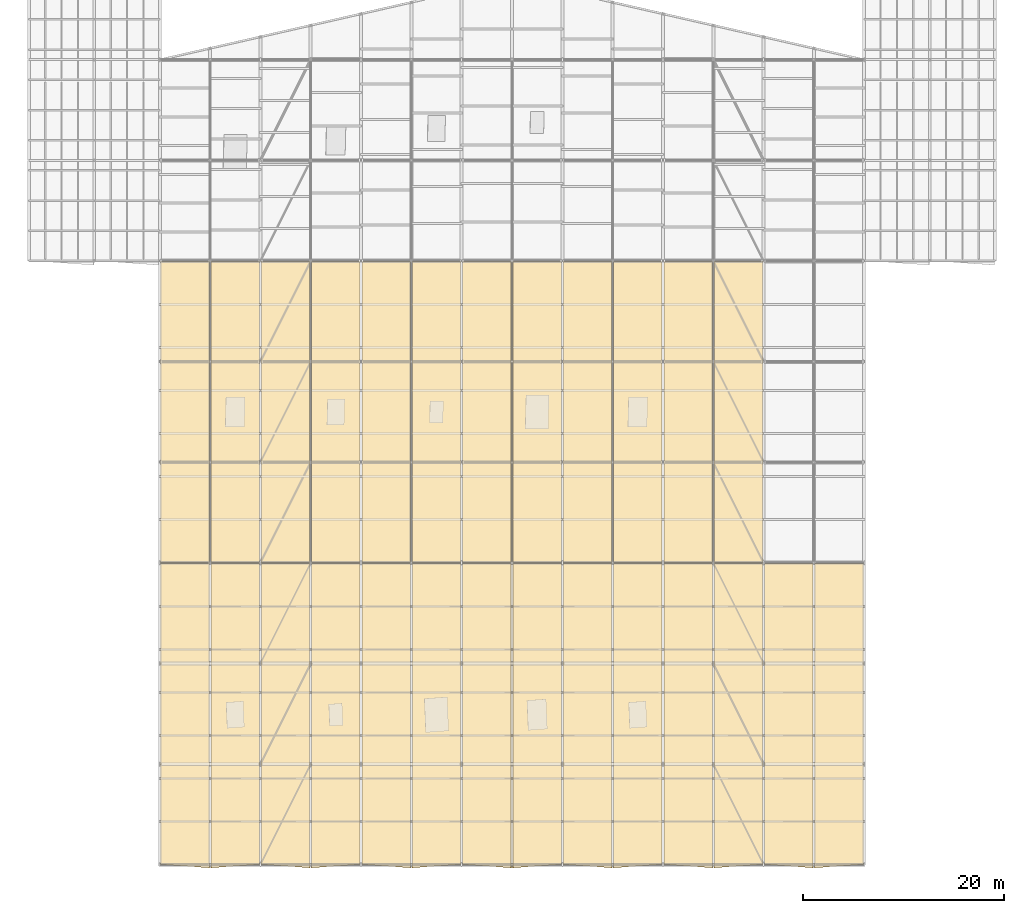
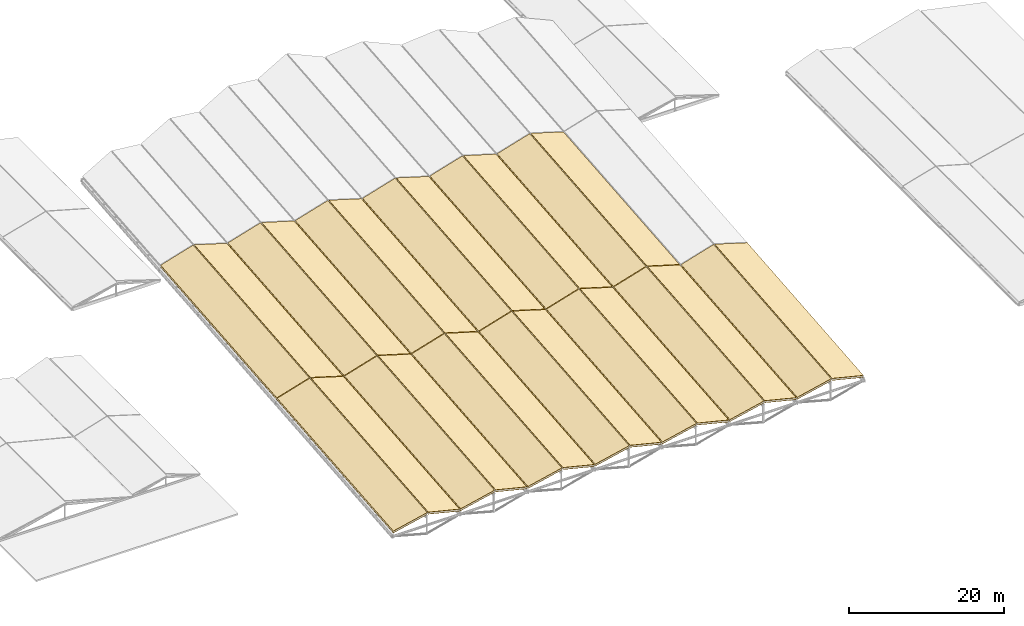
# One storey, part 89 of 90: 52 coverings.
"""IFC4 building model written with IfcOpenShell, lengths in metres."""

from ifc_helpers import new_model, si_unit, direction, frame, origin, place, context, subcontext, project, spatial, polyline, outline, extrude, material, layer, layer_set, type_object, element, save


model = new_model("IFC4")

# Units and contexts
model_context = context("Model", 3, precision=1e-05, world=origin(), true_north=direction((0.0, 1.0)))
body_context = subcontext(model_context, "Body", "Model", "MODEL_VIEW")
ifc_project = project(units=[si_unit("LENGTHUNIT", "METRE"), si_unit("AREAUNIT", "SQUARE_METRE"), si_unit("VOLUMEUNIT", "CUBIC_METRE"), si_unit("PLANEANGLEUNIT", "RADIAN"), si_unit("MASSUNIT", "GRAM", prefix="KILO"), si_unit("THERMODYNAMICTEMPERATUREUNIT", "KELVIN"), si_unit("POWERUNIT", "WATT")], contexts=[model_context])

# Site, building, storey
site_placement = place(None, origin())
site = spatial("IfcSite", under=ifc_project, at=site_placement, CompositionType="ELEMENT")
building_placement = place(site_placement, origin())
building = spatial("IfcBuilding", under=site, at=building_placement, Name="Korenveer Ferry Terminal", CompositionType="ELEMENT")
storey_placement = place(building_placement, frame((0.0, 0.0, 22.199951171875)))
storey = spatial("IfcBuildingStorey", under=building, at=storey_placement, Name="RF", CompositionType="ELEMENT", Elevation=22.199951171875)

# Coverings
ifc_material_1 = material(Name="European larch glulam timber GL28h", Category="wood")
ifc_layer_1 = layer(ifc_material_1, 0.044921875)
ifc_layer_set_1 = layer_set([ifc_layer_1], Name="European larch glulam timber GL28h")
covering_type_1 = type_object("IfcCoveringType", Name="INT-COV-LARCH", PredefinedType="CEILING", material=ifc_layer_set_1)
covering_1_placement = place(storey_placement, frame((53.080078125, 20.050048828125, -10.9228515625), z_axis=(-0.287985027657, -0.086594087367, 0.95371174255), x_axis=(0.956733957542, -0.069206343662, 0.282613900017)))
element("IfcCovering", 1, at=covering_1_placement, inside=storey, type_object=covering_type_1, Name="Larch glulam acoustic roof soffit 1", PredefinedType="CEILING", context=body_context, shape_type="SweptSolid", body=[
    extrude(outline(polyline([(0.0, 0.0), (5.058721403717023, -5.551115123125783e-17), (3.7414517674990417, 30.34585661271282), (-1.3020103369480585, 29.994654621025795), (0.0, 0.0)])), origin(), (0.0, 0.0, -1.0), 0.044921875),
])
covering_2_placement = place(storey_placement, frame((58.080078125, 19.699951171875, -9.4931640625), z_axis=(0.287985027657, -0.086594087367, 0.95371174255), x_axis=(0.956733957542, 0.069206343662, -0.282613900017)))
element("IfcCovering", 2, at=covering_2_placement, inside=storey, type_object=covering_type_1, Name="Larch glulam acoustic roof soffit 2", PredefinedType="CEILING", context=body_context, shape_type="SweptSolid", body=[
    extrude(outline(polyline([(0.0, 0.0), (5.058721403717023, 5.551115123125783e-17), (6.360731740665081, 29.994654621025795), (1.3172696362179814, 30.34585661271282), (0.0, 0.0)])), origin(), (0.0, 0.0, -1.0), 0.044921875),
])
covering_3_placement = place(storey_placement, frame((53.080078125, 50.050048828125, -8.198974609375), z_axis=(-0.287980534707, -0.086594992647, 0.953713017044), x_axis=(0.957309054357, 0.0, 0.28906638415)))
element("IfcCovering", 3, at=covering_3_placement, inside=storey, type_object=covering_type_1, Name="Larch glulam acoustic roof soffit 3", PredefinedType="CEILING", context=body_context, shape_type="SweptSolid", body=[
    extrude(outline(polyline([(0.0, 0.0), (5.0556753098390566, 0.0), (5.840445376182921, 30.01264188130848), (0.7847700663438637, 30.01264188130848), (0.0, 0.0)])), origin(), (0.0, 0.0, -1.0), 0.044921875),
])
covering_4_placement = place(storey_placement, frame((58.080078125, 50.050048828125, -6.737548828125), z_axis=(0.287980534707, -0.086594992647, 0.953713017044), x_axis=(0.957309054357, 0.0, -0.28906638415)))
element("IfcCovering", 4, at=covering_4_placement, inside=storey, type_object=covering_type_1, Name="Larch glulam acoustic roof soffit 4", PredefinedType="CEILING", context=body_context, shape_type="SweptSolid", body=[
    extrude(outline(polyline([(0.0, 0.0), (5.0556753098390566, 0.0), (4.270905243495193, 30.01264188130848), (-0.7847700663438637, 30.01264188130848), (0.0, 0.0)])), origin(), (0.0, 0.0, -1.0), 0.044921875),
])
covering_5_placement = place(storey_placement, frame((63.080078125, 20.050048828125, -10.9228515625), z_axis=(-0.287985027657, -0.086594087367, 0.95371174255), x_axis=(0.956733957542, -0.069206343662, 0.282613900017)))
element("IfcCovering", 5, at=covering_5_placement, inside=storey, type_object=covering_type_1, Name="Larch glulam acoustic roof soffit 7", PredefinedType="CEILING", context=body_context, shape_type="SweptSolid", body=[
    extrude(outline(polyline([(0.0, 0.0), (5.058721403717023, -5.551115123125783e-17), (3.7414517674990417, 30.34585661271282), (-1.3020103369480585, 29.994654621025795), (0.0, 0.0)])), origin(), (0.0, 0.0, -1.0), 0.044921875),
])
covering_6_placement = place(storey_placement, frame((68.080078125, 19.699951171875, -9.4931640625), z_axis=(0.287985027657, -0.086594087367, 0.95371174255), x_axis=(0.956733957542, 0.069206343662, -0.282613900017)))
element("IfcCovering", 6, at=covering_6_placement, inside=storey, type_object=covering_type_1, Name="Larch glulam acoustic roof soffit 8", PredefinedType="CEILING", context=body_context, shape_type="SweptSolid", body=[
    extrude(outline(polyline([(0.0, 0.0), (5.058721403717023, 5.551115123125783e-17), (6.360731740665081, 29.994654621025795), (1.3172696362179814, 30.34585661271282), (0.0, 0.0)])), origin(), (0.0, 0.0, -1.0), 0.044921875),
])
covering_7_placement = place(storey_placement, frame((63.080078125, 50.050048828125, -8.198974609375), z_axis=(-0.287980534707, -0.086594992647, 0.953713017044), x_axis=(0.957309054357, 0.0, 0.28906638415)))
element("IfcCovering", 7, at=covering_7_placement, inside=storey, type_object=covering_type_1, Name="Larch glulam acoustic roof soffit 9", PredefinedType="CEILING", context=body_context, shape_type="SweptSolid", body=[
    extrude(outline(polyline([(0.0, 0.0), (5.0556753098390566, 0.0), (5.840445376182921, 30.01264188130848), (0.7847700663438637, 30.01264188130848), (0.0, 0.0)])), origin(), (0.0, 0.0, -1.0), 0.044921875),
])
covering_8_placement = place(storey_placement, frame((68.080078125, 50.050048828125, -6.737548828125), z_axis=(0.287980534707, -0.086594992647, 0.953713017044), x_axis=(0.957309054357, 0.0, -0.28906638415)))
element("IfcCovering", 8, at=covering_8_placement, inside=storey, type_object=covering_type_1, Name="Larch glulam acoustic roof soffit 10", PredefinedType="CEILING", context=body_context, shape_type="SweptSolid", body=[
    extrude(outline(polyline([(0.0, 0.0), (5.0556753098390566, 0.0), (4.270905243495193, 30.01264188130848), (-0.7847700663438637, 30.01264188130848), (0.0, 0.0)])), origin(), (0.0, 0.0, -1.0), 0.044921875),
])
covering_9_placement = place(storey_placement, frame((73.080078125, 20.050048828125, -10.9228515625), z_axis=(-0.287985027657, -0.086594087367, 0.95371174255), x_axis=(0.956733957542, -0.069206343662, 0.282613900017)))
element("IfcCovering", 9, at=covering_9_placement, inside=storey, type_object=covering_type_1, Name="Larch glulam acoustic roof soffit 13", PredefinedType="CEILING", context=body_context, shape_type="SweptSolid", body=[
    extrude(outline(polyline([(0.0, 0.0), (5.058721403717023, -5.551115123125783e-17), (3.7414517674990417, 30.34585661271282), (-1.3020103369480585, 29.994654621025795), (0.0, 0.0)])), origin(), (0.0, 0.0, -1.0), 0.044921875),
])
covering_10_placement = place(storey_placement, frame((78.080078125, 19.699951171875, -9.4931640625), z_axis=(0.287985027657, -0.086594087367, 0.95371174255), x_axis=(0.956733957542, 0.069206343662, -0.282613900017)))
element("IfcCovering", 10, at=covering_10_placement, inside=storey, type_object=covering_type_1, Name="Larch glulam acoustic roof soffit 14", PredefinedType="CEILING", context=body_context, shape_type="SweptSolid", body=[
    extrude(outline(polyline([(0.0, 0.0), (5.058721403717023, 5.551115123125783e-17), (6.360731740665081, 29.994654621025795), (1.3172696362179814, 30.34585661271282), (0.0, 0.0)])), origin(), (0.0, 0.0, -1.0), 0.044921875),
])
covering_11_placement = place(storey_placement, frame((73.080078125, 50.050048828125, -8.198974609375), z_axis=(-0.287980534707, -0.086594992647, 0.953713017044), x_axis=(0.957309054357, 0.0, 0.28906638415)))
element("IfcCovering", 11, at=covering_11_placement, inside=storey, type_object=covering_type_1, Name="Larch glulam acoustic roof soffit 15", PredefinedType="CEILING", context=body_context, shape_type="SweptSolid", body=[
    extrude(outline(polyline([(0.0, 0.0), (5.0556753098390566, 0.0), (5.840445376182921, 30.01264188130848), (0.7847700663438637, 30.01264188130848), (0.0, 0.0)])), origin(), (0.0, 0.0, -1.0), 0.044921875),
])
covering_12_placement = place(storey_placement, frame((78.080078125, 50.050048828125, -6.737548828125), z_axis=(0.287980534707, -0.086594992647, 0.953713017044), x_axis=(0.957309054357, 0.0, -0.28906638415)))
element("IfcCovering", 12, at=covering_12_placement, inside=storey, type_object=covering_type_1, Name="Larch glulam acoustic roof soffit 16", PredefinedType="CEILING", context=body_context, shape_type="SweptSolid", body=[
    extrude(outline(polyline([(0.0, 0.0), (5.0556753098390566, 0.0), (4.270905243495193, 30.01264188130848), (-0.7847700663438637, 30.01264188130848), (0.0, 0.0)])), origin(), (0.0, 0.0, -1.0), 0.044921875),
])
covering_13_placement = place(storey_placement, frame((83.080078125, 20.050048828125, -10.9228515625), z_axis=(-0.287985027657, -0.086594087367, 0.95371174255), x_axis=(0.956733957542, -0.069206343662, 0.282613900017)))
element("IfcCovering", 13, at=covering_13_placement, inside=storey, type_object=covering_type_1, Name="Larch glulam acoustic roof soffit 19", PredefinedType="CEILING", context=body_context, shape_type="SweptSolid", body=[
    extrude(outline(polyline([(0.0, 0.0), (5.058721403717023, -5.551115123125783e-17), (3.7414517674990417, 30.34585661271282), (-1.3020103369480585, 29.994654621025795), (0.0, 0.0)])), origin(), (0.0, 0.0, -1.0), 0.044921875),
])
covering_14_placement = place(storey_placement, frame((88.080078125, 19.699951171875, -9.4931640625), z_axis=(0.287985027657, -0.086594087367, 0.95371174255), x_axis=(0.956733957542, 0.069206343662, -0.282613900017)))
element("IfcCovering", 14, at=covering_14_placement, inside=storey, type_object=covering_type_1, Name="Larch glulam acoustic roof soffit 20", PredefinedType="CEILING", context=body_context, shape_type="SweptSolid", body=[
    extrude(outline(polyline([(0.0, 0.0), (5.058721403717023, 5.551115123125783e-17), (6.360731740665081, 29.994654621025795), (1.3172696362179814, 30.34585661271282), (0.0, 0.0)])), origin(), (0.0, 0.0, -1.0), 0.044921875),
])
covering_15_placement = place(storey_placement, frame((83.080078125, 50.050048828125, -8.198974609375), z_axis=(-0.287980534707, -0.086594992647, 0.953713017044), x_axis=(0.957309054357, 0.0, 0.28906638415)))
element("IfcCovering", 15, at=covering_15_placement, inside=storey, type_object=covering_type_1, Name="Larch glulam acoustic roof soffit 21", PredefinedType="CEILING", context=body_context, shape_type="SweptSolid", body=[
    extrude(outline(polyline([(0.0, 0.0), (5.0556753098390566, 0.0), (5.840445376182921, 30.01264188130848), (0.7847700663438637, 30.01264188130848), (0.0, 0.0)])), origin(), (0.0, 0.0, -1.0), 0.044921875),
])
covering_16_placement = place(storey_placement, frame((88.080078125, 50.050048828125, -6.737548828125), z_axis=(0.287980534707, -0.086594992647, 0.953713017044), x_axis=(0.957309054357, 0.0, -0.28906638415)))
element("IfcCovering", 16, at=covering_16_placement, inside=storey, type_object=covering_type_1, Name="Larch glulam acoustic roof soffit 22", PredefinedType="CEILING", context=body_context, shape_type="SweptSolid", body=[
    extrude(outline(polyline([(0.0, 0.0), (5.0556753098390566, 0.0), (4.270905243495193, 30.01264188130848), (-0.7847700663438637, 30.01264188130848), (0.0, 0.0)])), origin(), (0.0, 0.0, -1.0), 0.044921875),
])
covering_17_placement = place(storey_placement, frame((93.080078125, 20.050048828125, -10.9228515625), z_axis=(-0.287985027657, -0.086594087367, 0.95371174255), x_axis=(0.956733957542, -0.069206343662, 0.282613900017)))
element("IfcCovering", 17, at=covering_17_placement, inside=storey, type_object=covering_type_1, Name="Larch glulam acoustic roof soffit 25", PredefinedType="CEILING", context=body_context, shape_type="SweptSolid", body=[
    extrude(outline(polyline([(0.0, 0.0), (5.058721403717023, -5.551115123125783e-17), (3.7414517674990417, 30.34585661271282), (-1.3020103369480585, 29.994654621025795), (0.0, 0.0)])), origin(), (0.0, 0.0, -1.0), 0.044921875),
])
covering_18_placement = place(storey_placement, frame((98.080078125, 19.699951171875, -9.4931640625), z_axis=(0.287985027657, -0.086594087367, 0.95371174255), x_axis=(0.956733957542, 0.069206343662, -0.282613900017)))
element("IfcCovering", 18, at=covering_18_placement, inside=storey, type_object=covering_type_1, Name="Larch glulam acoustic roof soffit 26", PredefinedType="CEILING", context=body_context, shape_type="SweptSolid", body=[
    extrude(outline(polyline([(0.0, 0.0), (5.058721403717023, 5.551115123125783e-17), (6.360731740665081, 29.994654621025795), (1.3172696362179814, 30.34585661271282), (0.0, 0.0)])), origin(), (0.0, 0.0, -1.0), 0.044921875),
])
covering_19_placement = place(storey_placement, frame((93.080078125, 50.050048828125, -8.198974609375), z_axis=(-0.287980534707, -0.086594992647, 0.953713017044), x_axis=(0.957309054357, 0.0, 0.28906638415)))
element("IfcCovering", 19, at=covering_19_placement, inside=storey, type_object=covering_type_1, Name="Larch glulam acoustic roof soffit 27", PredefinedType="CEILING", context=body_context, shape_type="SweptSolid", body=[
    extrude(outline(polyline([(0.0, 0.0), (5.0556753098390566, 0.0), (5.840445376182921, 30.01264188130848), (0.7847700663438637, 30.01264188130848), (0.0, 0.0)])), origin(), (0.0, 0.0, -1.0), 0.044921875),
])
covering_20_placement = place(storey_placement, frame((98.080078125, 50.050048828125, -6.737548828125), z_axis=(0.287980534707, -0.086594992647, 0.953713017044), x_axis=(0.957309054357, 0.0, -0.28906638415)))
element("IfcCovering", 20, at=covering_20_placement, inside=storey, type_object=covering_type_1, Name="Larch glulam acoustic roof soffit 28", PredefinedType="CEILING", context=body_context, shape_type="SweptSolid", body=[
    extrude(outline(polyline([(0.0, 0.0), (5.0556753098390566, 0.0), (4.270905243495193, 30.01264188130848), (-0.7847700663438637, 30.01264188130848), (0.0, 0.0)])), origin(), (0.0, 0.0, -1.0), 0.044921875),
])
covering_21_placement = place(storey_placement, frame((103.080078125, 20.050048828125, -10.9228515625), z_axis=(-0.287985027657, -0.086594087367, 0.95371174255), x_axis=(0.956733957542, -0.069206343662, 0.282613900017)))
element("IfcCovering", 21, at=covering_21_placement, inside=storey, type_object=covering_type_1, Name="Larch glulam acoustic roof soffit 31", PredefinedType="CEILING", context=body_context, shape_type="SweptSolid", body=[
    extrude(outline(polyline([(0.0, 0.0), (5.058721403717023, -5.551115123125783e-17), (3.7414517674990417, 30.34585661271282), (-1.3020103369480585, 29.994654621025795), (0.0, 0.0)])), origin(), (0.0, 0.0, -1.0), 0.044921875),
])
covering_22_placement = place(storey_placement, frame((108.080078125, 19.699951171875, -9.4931640625), z_axis=(0.287985027657, -0.086594087367, 0.95371174255), x_axis=(0.956733957542, 0.069206343662, -0.282613900017)))
element("IfcCovering", 22, at=covering_22_placement, inside=storey, type_object=covering_type_1, Name="Larch glulam acoustic roof soffit 32", PredefinedType="CEILING", context=body_context, shape_type="SweptSolid", body=[
    extrude(outline(polyline([(0.0, 0.0), (5.058721403717023, 5.551115123125783e-17), (6.360731740665081, 29.994654621025795), (1.3172696362179814, 30.34585661271282), (0.0, 0.0)])), origin(), (0.0, 0.0, -1.0), 0.044921875),
])
covering_23_placement = place(storey_placement, frame((103.080078125, 50.050048828125, -8.198974609375), z_axis=(-0.287980534707, -0.086594992647, 0.953713017044), x_axis=(0.957309054357, 0.0, 0.28906638415)))
element("IfcCovering", 23, at=covering_23_placement, inside=storey, type_object=covering_type_1, Name="Larch glulam acoustic roof soffit 33", PredefinedType="CEILING", context=body_context, shape_type="SweptSolid", body=[
    extrude(outline(polyline([(0.0, 0.0), (5.0556753098390566, 0.0), (5.840445376182921, 30.01264188130848), (0.7847700663438637, 30.01264188130848), (0.0, 0.0)])), origin(), (0.0, 0.0, -1.0), 0.044921875),
])
covering_24_placement = place(storey_placement, frame((108.080078125, 50.050048828125, -6.737548828125), z_axis=(0.287980534707, -0.086594992647, 0.953713017044), x_axis=(0.957309054357, 0.0, -0.28906638415)))
element("IfcCovering", 24, at=covering_24_placement, inside=storey, type_object=covering_type_1, Name="Larch glulam acoustic roof soffit 34", PredefinedType="CEILING", context=body_context, shape_type="SweptSolid", body=[
    extrude(outline(polyline([(0.0, 0.0), (5.0556753098390566, 0.0), (4.270905243495193, 30.01264188130848), (-0.7847700663438637, 30.01264188130848), (0.0, 0.0)])), origin(), (0.0, 0.0, -1.0), 0.044921875),
])
covering_25_placement = place(storey_placement, frame((113.080078125, 20.050048828125, -10.9228515625), z_axis=(-0.287985027657, -0.086594087367, 0.95371174255), x_axis=(0.956733957542, -0.069206343662, 0.282613900017)))
element("IfcCovering", 25, at=covering_25_placement, inside=storey, type_object=covering_type_1, Name="Larch glulam acoustic roof soffit 37", PredefinedType="CEILING", context=body_context, shape_type="SweptSolid", body=[
    extrude(outline(polyline([(0.0, 0.0), (5.058721403717023, -5.551115123125783e-17), (3.7414517674990417, 30.34585661271282), (-1.3020103369480585, 29.994654621025795), (0.0, 0.0)])), origin(), (0.0, 0.0, -1.0), 0.044921875),
])
covering_26_placement = place(storey_placement, frame((118.080078125, 19.699951171875, -9.4931640625), z_axis=(0.287985027657, -0.086594087367, 0.95371174255), x_axis=(0.956733957542, 0.069206343662, -0.282613900017)))
element("IfcCovering", 26, at=covering_26_placement, inside=storey, type_object=covering_type_1, Name="Larch glulam acoustic roof soffit 38", PredefinedType="CEILING", context=body_context, shape_type="SweptSolid", body=[
    extrude(outline(polyline([(0.0, 0.0), (5.058721403717023, 5.551115123125783e-17), (6.360731740665081, 29.994654621025795), (1.3172696362179814, 30.34585661271282), (0.0, 0.0)])), origin(), (0.0, 0.0, -1.0), 0.044921875),
])
ifc_material_2 = material(Name="Patinated standing-seam copper and zinc roofing", Category="aluminium")
ifc_layer_2 = layer(ifc_material_2, 0.0400390625)
ifc_layer_set_2 = layer_set([ifc_layer_2], Name="Patinated standing-seam copper and zinc roofing")
covering_type_2 = type_object("IfcCoveringType", Name="INT-COV-ROOF", PredefinedType="ROOFING", material=ifc_layer_set_2)
covering_27_placement = place(storey_placement, frame((53.080078125, 20.050048828125, -10.63134765625), z_axis=(-0.287985091372, -0.086601764305, 0.953711026237), x_axis=(0.956734034693, -0.069206320426, 0.282613644526)))
element("IfcCovering", 27, at=covering_27_placement, inside=storey, type_object=covering_type_2, Name="Standing-seam roof covering 1", PredefinedType="ROOFING", context=body_context, shape_type="SweptSolid", body=[
    extrude(outline(polyline([(0.0, 0.0), (5.058721403710518, 2.7755575615628914e-17), (3.7415207661246415, 30.345881705730978), (-1.3019413383419578, 29.994679714417668), (0.0, 0.0)])), origin(), (0.0, 0.0, -1.0), 0.0400390625),
])
covering_28_placement = place(storey_placement, frame((58.080078125, 19.699951171875, -9.20166015625), z_axis=(0.287985091372, -0.086601764305, 0.953711026237), x_axis=(0.956734034693, 0.069206320426, -0.282613644526)))
element("IfcCovering", 28, at=covering_28_placement, inside=storey, type_object=covering_type_2, Name="Standing-seam roof covering 2", PredefinedType="ROOFING", context=body_context, shape_type="SweptSolid", body=[
    extrude(outline(polyline([(0.0, 0.0), (5.058721403710518, -2.7755575615628914e-17), (6.360662742052475, 29.994679714417668), (1.3172006375858762, 30.345881705730978), (0.0, 0.0)])), origin(), (0.0, 0.0, -1.0), 0.0400390625),
])
covering_29_placement = place(storey_placement, frame((53.080078125, 50.050048828125, -7.9072265625), z_axis=(-0.287980534707, -0.086594992647, 0.953713017044), x_axis=(0.957309054357, 0.0, 0.28906638415)))
element("IfcCovering", 29, at=covering_29_placement, inside=storey, type_object=covering_type_2, Name="Standing-seam roof covering 3", PredefinedType="ROOFING", context=body_context, shape_type="SweptSolid", body=[
    extrude(outline(polyline([(0.0, 0.0), (5.0556753098390566, 0.0), (5.840445376182921, 30.01264188130848), (0.7847700663438637, 30.01264188130848), (0.0, 0.0)])), origin(), (0.0, 0.0, -1.0), 0.0400390625),
])
covering_30_placement = place(storey_placement, frame((58.080078125, 50.050048828125, -6.44580078125), z_axis=(0.287980534707, -0.086594992647, 0.953713017044), x_axis=(0.957309054357, 0.0, -0.28906638415)))
element("IfcCovering", 30, at=covering_30_placement, inside=storey, type_object=covering_type_2, Name="Standing-seam roof covering 4", PredefinedType="ROOFING", context=body_context, shape_type="SweptSolid", body=[
    extrude(outline(polyline([(0.0, 0.0), (5.0556753098390566, 0.0), (4.270905243495193, 30.01264188130848), (-0.7847700663438637, 30.01264188130848), (0.0, 0.0)])), origin(), (0.0, 0.0, -1.0), 0.0400390625),
])
covering_31_placement = place(storey_placement, frame((63.080078125, 20.050048828125, -10.63134765625), z_axis=(-0.287985091372, -0.086601764305, 0.953711026237), x_axis=(0.956734034693, -0.069206320426, 0.282613644526)))
element("IfcCovering", 31, at=covering_31_placement, inside=storey, type_object=covering_type_2, Name="Standing-seam roof covering 7", PredefinedType="ROOFING", context=body_context, shape_type="SweptSolid", body=[
    extrude(outline(polyline([(0.0, 0.0), (5.058721403710518, 2.7755575615628914e-17), (3.7415207661246415, 30.345881705730978), (-1.3019413383419578, 29.994679714417668), (0.0, 0.0)])), origin(), (0.0, 0.0, -1.0), 0.0400390625),
])
covering_32_placement = place(storey_placement, frame((68.080078125, 19.699951171875, -9.20166015625), z_axis=(0.287985091372, -0.086601764305, 0.953711026237), x_axis=(0.956734034693, 0.069206320426, -0.282613644526)))
element("IfcCovering", 32, at=covering_32_placement, inside=storey, type_object=covering_type_2, Name="Standing-seam roof covering 8", PredefinedType="ROOFING", context=body_context, shape_type="SweptSolid", body=[
    extrude(outline(polyline([(0.0, 0.0), (5.058721403710518, -2.7755575615628914e-17), (6.360662742052475, 29.994679714417668), (1.3172006375858762, 30.345881705730978), (0.0, 0.0)])), origin(), (0.0, 0.0, -1.0), 0.0400390625),
])
covering_33_placement = place(storey_placement, frame((63.080078125, 50.050048828125, -7.9072265625), z_axis=(-0.287980534707, -0.086594992647, 0.953713017044), x_axis=(0.957309054357, 0.0, 0.28906638415)))
element("IfcCovering", 33, at=covering_33_placement, inside=storey, type_object=covering_type_2, Name="Standing-seam roof covering 9", PredefinedType="ROOFING", context=body_context, shape_type="SweptSolid", body=[
    extrude(outline(polyline([(0.0, 0.0), (5.0556753098390566, 0.0), (5.840445376182921, 30.01264188130848), (0.7847700663438637, 30.01264188130848), (0.0, 0.0)])), origin(), (0.0, 0.0, -1.0), 0.0400390625),
])
covering_34_placement = place(storey_placement, frame((68.080078125, 50.050048828125, -6.44580078125), z_axis=(0.287980534707, -0.086594992647, 0.953713017044), x_axis=(0.957309054357, 0.0, -0.28906638415)))
element("IfcCovering", 34, at=covering_34_placement, inside=storey, type_object=covering_type_2, Name="Standing-seam roof covering 10", PredefinedType="ROOFING", context=body_context, shape_type="SweptSolid", body=[
    extrude(outline(polyline([(0.0, 0.0), (5.0556753098390566, 0.0), (4.270905243495193, 30.01264188130848), (-0.7847700663438637, 30.01264188130848), (0.0, 0.0)])), origin(), (0.0, 0.0, -1.0), 0.0400390625),
])
covering_35_placement = place(storey_placement, frame((73.080078125, 20.050048828125, -10.63134765625), z_axis=(-0.287985091372, -0.086601764305, 0.953711026237), x_axis=(0.956734034693, -0.069206320426, 0.282613644526)))
element("IfcCovering", 35, at=covering_35_placement, inside=storey, type_object=covering_type_2, Name="Standing-seam roof covering 13", PredefinedType="ROOFING", context=body_context, shape_type="SweptSolid", body=[
    extrude(outline(polyline([(0.0, 0.0), (5.058721403710518, 2.7755575615628914e-17), (3.7415207661246415, 30.345881705730978), (-1.3019413383419578, 29.994679714417668), (0.0, 0.0)])), origin(), (0.0, 0.0, -1.0), 0.0400390625),
])
covering_36_placement = place(storey_placement, frame((78.080078125, 19.699951171875, -9.20166015625), z_axis=(0.287985091372, -0.086601764305, 0.953711026237), x_axis=(0.956734034693, 0.069206320426, -0.282613644526)))
element("IfcCovering", 36, at=covering_36_placement, inside=storey, type_object=covering_type_2, Name="Standing-seam roof covering 14", PredefinedType="ROOFING", context=body_context, shape_type="SweptSolid", body=[
    extrude(outline(polyline([(0.0, 0.0), (5.058721403710518, -2.7755575615628914e-17), (6.360662742052475, 29.994679714417668), (1.3172006375858762, 30.345881705730978), (0.0, 0.0)])), origin(), (0.0, 0.0, -1.0), 0.0400390625),
])
covering_37_placement = place(storey_placement, frame((73.080078125, 50.050048828125, -7.9072265625), z_axis=(-0.287980534707, -0.086594992647, 0.953713017044), x_axis=(0.957309054357, 0.0, 0.28906638415)))
element("IfcCovering", 37, at=covering_37_placement, inside=storey, type_object=covering_type_2, Name="Standing-seam roof covering 15", PredefinedType="ROOFING", context=body_context, shape_type="SweptSolid", body=[
    extrude(outline(polyline([(0.0, 0.0), (5.0556753098390566, 0.0), (5.840445376182921, 30.01264188130848), (0.7847700663438637, 30.01264188130848), (0.0, 0.0)])), origin(), (0.0, 0.0, -1.0), 0.0400390625),
])
covering_38_placement = place(storey_placement, frame((78.080078125, 50.050048828125, -6.44580078125), z_axis=(0.287980534707, -0.086594992647, 0.953713017044), x_axis=(0.957309054357, 0.0, -0.28906638415)))
element("IfcCovering", 38, at=covering_38_placement, inside=storey, type_object=covering_type_2, Name="Standing-seam roof covering 16", PredefinedType="ROOFING", context=body_context, shape_type="SweptSolid", body=[
    extrude(outline(polyline([(0.0, 0.0), (5.0556753098390566, 0.0), (4.270905243495193, 30.01264188130848), (-0.7847700663438637, 30.01264188130848), (0.0, 0.0)])), origin(), (0.0, 0.0, -1.0), 0.0400390625),
])
covering_39_placement = place(storey_placement, frame((83.080078125, 20.050048828125, -10.63134765625), z_axis=(-0.287985091372, -0.086601764305, 0.953711026237), x_axis=(0.956734034693, -0.069206320426, 0.282613644526)))
element("IfcCovering", 39, at=covering_39_placement, inside=storey, type_object=covering_type_2, Name="Standing-seam roof covering 19", PredefinedType="ROOFING", context=body_context, shape_type="SweptSolid", body=[
    extrude(outline(polyline([(0.0, 0.0), (5.058721403710518, 2.7755575615628914e-17), (3.7415207661246415, 30.345881705730978), (-1.3019413383419578, 29.994679714417668), (0.0, 0.0)])), origin(), (0.0, 0.0, -1.0), 0.0400390625),
])
covering_40_placement = place(storey_placement, frame((88.080078125, 19.699951171875, -9.20166015625), z_axis=(0.287985091372, -0.086601764305, 0.953711026237), x_axis=(0.956734034693, 0.069206320426, -0.282613644526)))
element("IfcCovering", 40, at=covering_40_placement, inside=storey, type_object=covering_type_2, Name="Standing-seam roof covering 20", PredefinedType="ROOFING", context=body_context, shape_type="SweptSolid", body=[
    extrude(outline(polyline([(0.0, 0.0), (5.058721403710518, -2.7755575615628914e-17), (6.360662742052475, 29.994679714417668), (1.3172006375858762, 30.345881705730978), (0.0, 0.0)])), origin(), (0.0, 0.0, -1.0), 0.0400390625),
])
covering_41_placement = place(storey_placement, frame((83.080078125, 50.050048828125, -7.9072265625), z_axis=(-0.287980534707, -0.086594992647, 0.953713017044), x_axis=(0.957309054357, 0.0, 0.28906638415)))
element("IfcCovering", 41, at=covering_41_placement, inside=storey, type_object=covering_type_2, Name="Standing-seam roof covering 21", PredefinedType="ROOFING", context=body_context, shape_type="SweptSolid", body=[
    extrude(outline(polyline([(0.0, 0.0), (5.0556753098390566, 0.0), (5.840445376182921, 30.01264188130848), (0.7847700663438637, 30.01264188130848), (0.0, 0.0)])), origin(), (0.0, 0.0, -1.0), 0.0400390625),
])
covering_42_placement = place(storey_placement, frame((88.080078125, 50.050048828125, -6.44580078125), z_axis=(0.287980534707, -0.086594992647, 0.953713017044), x_axis=(0.957309054357, 0.0, -0.28906638415)))
element("IfcCovering", 42, at=covering_42_placement, inside=storey, type_object=covering_type_2, Name="Standing-seam roof covering 22", PredefinedType="ROOFING", context=body_context, shape_type="SweptSolid", body=[
    extrude(outline(polyline([(0.0, 0.0), (5.0556753098390566, 0.0), (4.270905243495193, 30.01264188130848), (-0.7847700663438637, 30.01264188130848), (0.0, 0.0)])), origin(), (0.0, 0.0, -1.0), 0.0400390625),
])
covering_43_placement = place(storey_placement, frame((93.080078125, 20.050048828125, -10.63134765625), z_axis=(-0.287985091372, -0.086601764305, 0.953711026237), x_axis=(0.956734034693, -0.069206320426, 0.282613644526)))
element("IfcCovering", 43, at=covering_43_placement, inside=storey, type_object=covering_type_2, Name="Standing-seam roof covering 25", PredefinedType="ROOFING", context=body_context, shape_type="SweptSolid", body=[
    extrude(outline(polyline([(0.0, 0.0), (5.058721403710518, 2.7755575615628914e-17), (3.7415207661246415, 30.345881705730978), (-1.3019413383419578, 29.994679714417668), (0.0, 0.0)])), origin(), (0.0, 0.0, -1.0), 0.0400390625),
])
covering_44_placement = place(storey_placement, frame((98.080078125, 19.699951171875, -9.20166015625), z_axis=(0.287985091372, -0.086601764305, 0.953711026237), x_axis=(0.956734034693, 0.069206320426, -0.282613644526)))
element("IfcCovering", 44, at=covering_44_placement, inside=storey, type_object=covering_type_2, Name="Standing-seam roof covering 26", PredefinedType="ROOFING", context=body_context, shape_type="SweptSolid", body=[
    extrude(outline(polyline([(0.0, 0.0), (5.058721403710518, -2.7755575615628914e-17), (6.360662742052475, 29.994679714417668), (1.3172006375858762, 30.345881705730978), (0.0, 0.0)])), origin(), (0.0, 0.0, -1.0), 0.0400390625),
])
covering_45_placement = place(storey_placement, frame((93.080078125, 50.050048828125, -7.9072265625), z_axis=(-0.287980534707, -0.086594992647, 0.953713017044), x_axis=(0.957309054357, 0.0, 0.28906638415)))
element("IfcCovering", 45, at=covering_45_placement, inside=storey, type_object=covering_type_2, Name="Standing-seam roof covering 27", PredefinedType="ROOFING", context=body_context, shape_type="SweptSolid", body=[
    extrude(outline(polyline([(0.0, 0.0), (5.0556753098390566, 0.0), (5.840445376182921, 30.01264188130848), (0.7847700663438637, 30.01264188130848), (0.0, 0.0)])), origin(), (0.0, 0.0, -1.0), 0.0400390625),
])
covering_46_placement = place(storey_placement, frame((98.080078125, 50.050048828125, -6.44580078125), z_axis=(0.287980534707, -0.086594992647, 0.953713017044), x_axis=(0.957309054357, 0.0, -0.28906638415)))
element("IfcCovering", 46, at=covering_46_placement, inside=storey, type_object=covering_type_2, Name="Standing-seam roof covering 28", PredefinedType="ROOFING", context=body_context, shape_type="SweptSolid", body=[
    extrude(outline(polyline([(0.0, 0.0), (5.0556753098390566, 0.0), (4.270905243495193, 30.01264188130848), (-0.7847700663438637, 30.01264188130848), (0.0, 0.0)])), origin(), (0.0, 0.0, -1.0), 0.0400390625),
])
covering_47_placement = place(storey_placement, frame((103.080078125, 20.050048828125, -10.63134765625), z_axis=(-0.287985091372, -0.086601764305, 0.953711026237), x_axis=(0.956734034693, -0.069206320426, 0.282613644526)))
element("IfcCovering", 47, at=covering_47_placement, inside=storey, type_object=covering_type_2, Name="Standing-seam roof covering 31", PredefinedType="ROOFING", context=body_context, shape_type="SweptSolid", body=[
    extrude(outline(polyline([(0.0, 0.0), (5.058721403710518, 2.7755575615628914e-17), (3.7415207661246415, 30.345881705730978), (-1.3019413383419578, 29.994679714417668), (0.0, 0.0)])), origin(), (0.0, 0.0, -1.0), 0.0400390625),
])
covering_48_placement = place(storey_placement, frame((108.080078125, 19.699951171875, -9.20166015625), z_axis=(0.287985091372, -0.086601764305, 0.953711026237), x_axis=(0.956734034693, 0.069206320426, -0.282613644526)))
element("IfcCovering", 48, at=covering_48_placement, inside=storey, type_object=covering_type_2, Name="Standing-seam roof covering 32", PredefinedType="ROOFING", context=body_context, shape_type="SweptSolid", body=[
    extrude(outline(polyline([(0.0, 0.0), (5.058721403710518, -2.7755575615628914e-17), (6.360662742052475, 29.994679714417668), (1.3172006375858762, 30.345881705730978), (0.0, 0.0)])), origin(), (0.0, 0.0, -1.0), 0.0400390625),
])
covering_49_placement = place(storey_placement, frame((103.080078125, 50.050048828125, -7.9072265625), z_axis=(-0.287980534707, -0.086594992647, 0.953713017044), x_axis=(0.957309054357, 0.0, 0.28906638415)))
element("IfcCovering", 49, at=covering_49_placement, inside=storey, type_object=covering_type_2, Name="Standing-seam roof covering 33", PredefinedType="ROOFING", context=body_context, shape_type="SweptSolid", body=[
    extrude(outline(polyline([(0.0, 0.0), (5.0556753098390566, 0.0), (5.840445376182921, 30.01264188130848), (0.7847700663438637, 30.01264188130848), (0.0, 0.0)])), origin(), (0.0, 0.0, -1.0), 0.0400390625),
])
covering_50_placement = place(storey_placement, frame((108.080078125, 50.050048828125, -6.44580078125), z_axis=(0.287980534707, -0.086594992647, 0.953713017044), x_axis=(0.957309054357, 0.0, -0.28906638415)))
element("IfcCovering", 50, at=covering_50_placement, inside=storey, type_object=covering_type_2, Name="Standing-seam roof covering 34", PredefinedType="ROOFING", context=body_context, shape_type="SweptSolid", body=[
    extrude(outline(polyline([(0.0, 0.0), (5.0556753098390566, 0.0), (4.270905243495193, 30.01264188130848), (-0.7847700663438637, 30.01264188130848), (0.0, 0.0)])), origin(), (0.0, 0.0, -1.0), 0.0400390625),
])
covering_51_placement = place(storey_placement, frame((113.080078125, 20.050048828125, -10.63134765625), z_axis=(-0.287985091372, -0.086601764305, 0.953711026237), x_axis=(0.956734034693, -0.069206320426, 0.282613644526)))
element("IfcCovering", 51, at=covering_51_placement, inside=storey, type_object=covering_type_2, Name="Standing-seam roof covering 37", PredefinedType="ROOFING", context=body_context, shape_type="SweptSolid", body=[
    extrude(outline(polyline([(0.0, 0.0), (5.058721403710518, 2.7755575615628914e-17), (3.7415207661246415, 30.345881705730978), (-1.3019413383419578, 29.994679714417668), (0.0, 0.0)])), origin(), (0.0, 0.0, -1.0), 0.0400390625),
])
covering_52_placement = place(storey_placement, frame((118.080078125, 19.699951171875, -9.20166015625), z_axis=(0.287985091372, -0.086601764305, 0.953711026237), x_axis=(0.956734034693, 0.069206320426, -0.282613644526)))
element("IfcCovering", 52, at=covering_52_placement, inside=storey, type_object=covering_type_2, Name="Standing-seam roof covering 38", PredefinedType="ROOFING", context=body_context, shape_type="SweptSolid", body=[
    extrude(outline(polyline([(0.0, 0.0), (5.058721403710518, -2.7755575615628914e-17), (6.360662742052475, 29.994679714417668), (1.3172006375858762, 30.345881705730978), (0.0, 0.0)])), origin(), (0.0, 0.0, -1.0), 0.0400390625),
])

save(model, "model.ifc")
